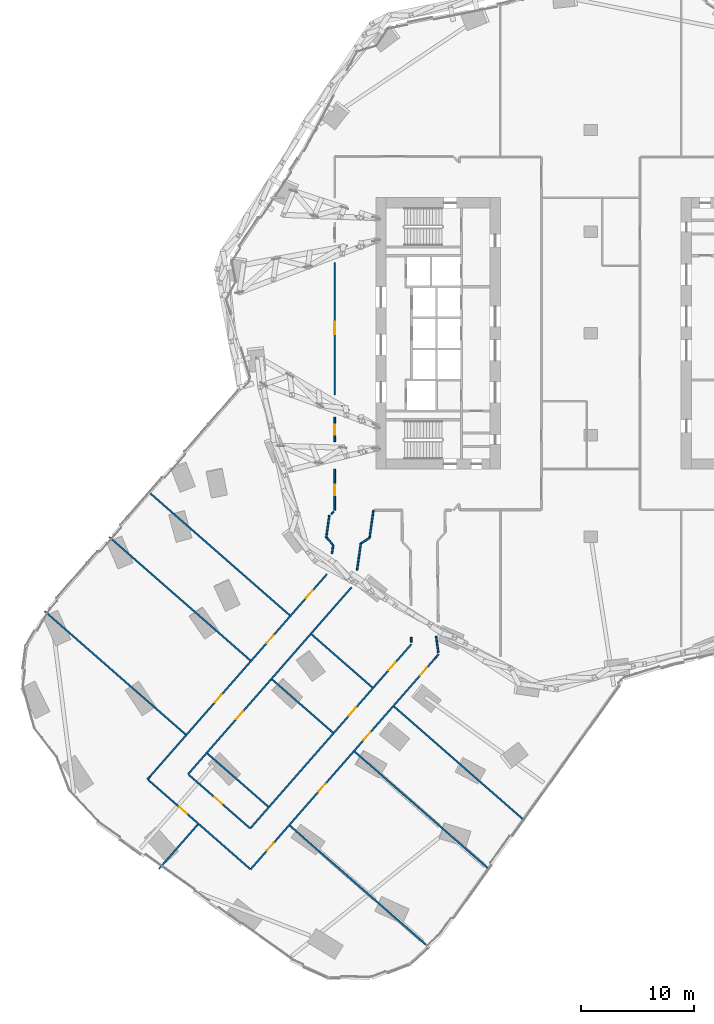
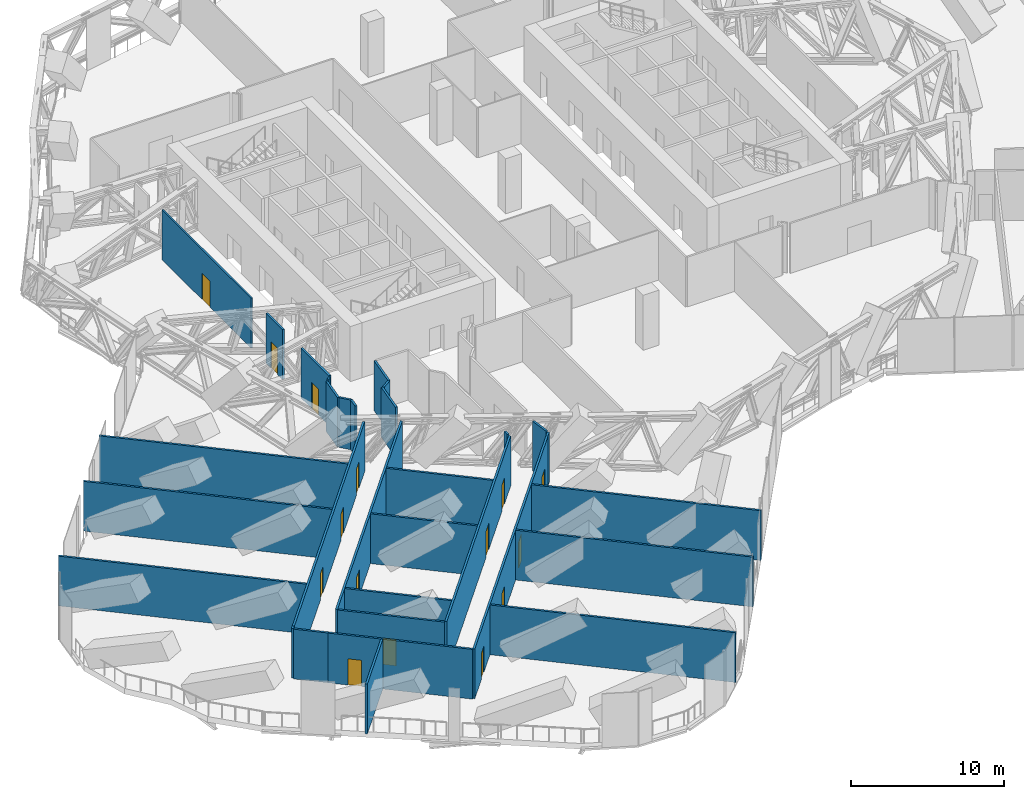
# One storey, part 24 of 34: 31 walls, 15 doors, 15 openings.
"""IFC4 building model written with IfcOpenShell, lengths in metres."""

from ifc_helpers import new_model, si_unit, direction, frame, frame_2d, origin, place, context, subcontext, project, spatial, rectangle, extrude, material, layer, layer_set, type_object, element, fill, save


model = new_model("IFC4")

# Units and contexts
model_context = context("Model", 3, precision=1e-05, world=origin(), true_north=direction((0.0, 1.0)))
body_context = subcontext(model_context, "Body", "Model", "MODEL_VIEW")
ifc_project = project(units=[si_unit("LENGTHUNIT", "METRE"), si_unit("AREAUNIT", "SQUARE_METRE"), si_unit("VOLUMEUNIT", "CUBIC_METRE"), si_unit("PLANEANGLEUNIT", "RADIAN"), si_unit("MASSUNIT", "GRAM", prefix="KILO")], contexts=[model_context])

# Site, building, storey
site_placement = place(None, origin())
site = spatial("IfcSite", under=ifc_project, at=site_placement, CompositionType="ELEMENT")
building_placement = place(site_placement, origin())
building = spatial("IfcBuilding", under=site, at=building_placement, Name="Orlundy Tower", CompositionType="ELEMENT")
storey_placement = place(building_placement, frame((0.0, 0.0, 76.300048828125)))
storey = spatial("IfcBuildingStorey", under=building, at=storey_placement, Name="L18", CompositionType="ELEMENT", Elevation=76.300048828125)

# Wall, opening, door
ifc_material_1 = material(Name="Gypsum board partition, double layer")
ifc_layer_1 = layer(ifc_material_1, 0.125)
ifc_layer_set_1 = layer_set([ifc_layer_1], Name="Floor partition 125")
wall_type_1 = type_object("IfcWallType", Name="Floor partition 125", PredefinedType="PARTITIONING", material=ifc_layer_set_1)
wall_1_placement = place(storey_placement, frame((-22.64990234375, -5.44189453125, 0.0), z_axis=(0.0, 0.0, 1.0), x_axis=(0.0, 1.0, 0.0)))
wall_1 = element("IfcWall", 1, at=wall_1_placement, inside=storey, type_object=wall_type_1, Name="wall-int-L18-097", PredefinedType="PARTITIONING", context=body_context, shape_type="SweptSolid", body=[
    extrude(rectangle(XDim=11.69384765625, YDim=0.125, at=frame_2d((5.846923828125, 0.0))), origin(), (0.0, 0.0, 1.0), 3.97998046875),
])
opening_1_placement = place(wall_1_placement, frame((5.35009765625, 0.0, 0.0)))
opening_1 = element("IfcOpeningElement", 2, at=opening_1_placement, cuts=wall_1, Name="Opening 15133", PredefinedType="OPENING", context=body_context, shape_type="SweptSolid", body=[
    extrude(rectangle(XDim=1.10009765625, YDim=2.10009765625, at=frame_2d((0.550048828125, 1.050048828125))), frame((0.0, 0.072509765625, 0.0), z_axis=(0.0, -1.0, 0.0), x_axis=(1.0, 0.0, 0.0)), (0.0, 0.0, 1.0), 0.14501953125),
])
ifc_material_2 = material(Name="Timber door leaf", Category="wood")
door_type_1 = type_object("IfcDoorType", Name="Floor door xwide 1100 FD30S", OperationType="NOTDEFINED", PredefinedType="DOOR", material=ifc_material_2)
door_1_placement = place(opening_1_placement, origin())
door_1 = element("IfcDoor", 3, at=door_1_placement, inside=storey, type_object=door_type_1, Name="Door 15133", OperationType="SINGLE_SWING_RIGHT", OverallHeight=2.10009765625, OverallWidth=1.10009765625, PredefinedType="DOOR", context=body_context, shape_type="SweptSolid", body=[
    extrude(rectangle(XDim=1.10009765625, YDim=2.10009765625, at=frame_2d((0.550048828125, 1.050048828125))), frame((0.0, 0.02490234375, 0.0), z_axis=(0.0, -1.0, 0.0), x_axis=(1.0, 0.0, 0.0)), (0.0, 0.0, 1.0), 0.050048828125),
])
fill(opening_1, door_1)

# Walls
ifc_material_3 = material(Name="Blockwork shaft wall", Category="masonry")
ifc_layer_2 = layer(ifc_material_3, 0.14990234375)
ifc_layer_set_2 = layer_set([ifc_layer_2], Name="Floor shaft wall 150")
wall_type_2 = type_object("IfcWallType", Name="Floor shaft wall 150", PredefinedType="PARTITIONING", material=ifc_layer_set_2)
wall_2_placement = place(storey_placement, frame((-15.882080078125, -26.885009765625, 0.0), z_axis=(0.0, 0.0, 1.0), x_axis=(0.009976029372, -0.999950238181, 0.0)))
element("IfcWall", 4, at=wall_2_placement, inside=storey, type_object=wall_type_2, Name="wall-int-L18-004", PredefinedType="PARTITIONING", context=body_context, shape_type="SweptSolid", body=[
    extrude(rectangle(XDim=0.416015625, YDim=0.14990234375, at=frame_2d((0.2080078125, 0.0))), origin(), (0.0, 0.0, 1.0), 3.97998046875),
])
wall_3_placement = place(storey_placement, frame((-13.488037109375, -28.22705078125, 0.0), z_axis=(0.0, 0.0, 1.0), x_axis=(-0.136103974412, 0.990694558453, 0.0)))
element("IfcWall", 5, at=wall_3_placement, inside=storey, type_object=wall_type_2, Name="wall-int-L18-006", PredefinedType="PARTITIONING", context=body_context, shape_type="SweptSolid", body=[
    extrude(rectangle(XDim=1.4404296875, YDim=0.14990234375, at=frame_2d((0.72021484375, 0.0))), origin(), (0.0, 0.0, 1.0), 3.97998046875),
])

# Wall, opening, door
wall_4_placement = place(storey_placement, frame((-30.134033203125, -47.375, 0.0), z_axis=(0.0, 0.0, 1.0), x_axis=(-0.752869704011, 0.658169589682, 0.0)))
wall_4 = element("IfcWall", 6, at=wall_4_placement, inside=storey, type_object=wall_type_2, Name="wall-int-L18-013", PredefinedType="PARTITIONING", context=body_context, shape_type="SweptSolid", body=[
    extrude(rectangle(XDim=9.649658203125, YDim=0.14990234375, at=frame_2d((4.82470703125, 0.0))), origin(), (0.0, 0.0, 1.0), 3.97998046875),
])
opening_2_placement = place(wall_4_placement, frame((7.42431640625, 0.0, 0.0)))
opening_2 = element("IfcOpeningElement", 7, at=opening_2_placement, cuts=wall_4, Name="Opening 15114", PredefinedType="OPENING", context=body_context, shape_type="SweptSolid", body=[
    extrude(rectangle(XDim=0.89990234375, YDim=2.10009765625, at=frame_2d((0.449951171875, 1.050048828125))), frame((0.0, 0.0849609375, 0.0), z_axis=(0.0, -1.0, 0.0), x_axis=(1.0, 0.0, 0.0)), (0.0, 0.0, 1.0), 0.169921875),
])
ifc_material_4 = material(Name="Timber door leaf", Category="wood")
door_type_2 = type_object("IfcDoorType", Name="Floor door single 900 FD60", OperationType="NOTDEFINED", PredefinedType="DOOR", material=ifc_material_4)
door_2_placement = place(opening_2_placement, origin())
door_2 = element("IfcDoor", 8, at=door_2_placement, inside=storey, type_object=door_type_2, Name="Door 15114", OperationType="SINGLE_SWING_RIGHT", OverallHeight=2.10009765625, OverallWidth=0.89990234375, PredefinedType="DOOR", context=body_context, shape_type="SweptSolid", body=[
    extrude(rectangle(XDim=0.89990234375, YDim=2.10009765625, at=frame_2d((0.449951171875, 1.050048828125))), frame((0.0, 0.02490234375, 0.0), z_axis=(0.0, -1.0, 0.0), x_axis=(1.0, 0.0, 0.0)), (0.0, 0.0, 1.0), 0.050048828125),
])
fill(opening_2, door_2)

wall_5_placement = place(storey_placement, frame((-35.56494140625, -39.0400390625, 0.0), z_axis=(0.0, 0.0, 1.0), x_axis=(0.752862172491, -0.658178204768, 0.0)))
wall_5 = element("IfcWall", 9, at=wall_5_placement, inside=storey, type_object=wall_type_2, Name="wall-int-L18-014", PredefinedType="PARTITIONING", context=body_context, shape_type="SweptSolid", body=[
    extrude(rectangle(XDim=7.150146484375, YDim=0.14990234375, at=frame_2d((3.5751953125, 0.0))), origin(), (0.0, 0.0, 1.0), 3.97998046875),
])
opening_3_placement = place(wall_5_placement, frame((3.02490234375, 0.0, 0.0)))
opening_3 = element("IfcOpeningElement", 10, at=opening_3_placement, cuts=wall_5, Name="Opening 15107", PredefinedType="OPENING", context=body_context, shape_type="SweptSolid", body=[
    extrude(rectangle(XDim=0.89990234375, YDim=2.10009765625, at=frame_2d((0.449951171875, 1.050048828125))), frame((0.0, 0.0849609375, 0.0), z_axis=(0.0, -1.0, 0.0), x_axis=(1.0, 0.0, 0.0)), (0.0, 0.0, 1.0), 0.169921875),
])
door_3_placement = place(opening_3_placement, origin())
door_3 = element("IfcDoor", 11, at=door_3_placement, inside=storey, type_object=door_type_2, Name="Door 15107", OperationType="SINGLE_SWING_LEFT", OverallHeight=2.10009765625, OverallWidth=0.89990234375, PredefinedType="DOOR", context=body_context, shape_type="SweptSolid", body=[
    extrude(rectangle(XDim=0.89990234375, YDim=2.10009765625, at=frame_2d((0.449951171875, 1.050048828125))), frame((0.0, 0.02490234375, 0.0), z_axis=(0.0, -1.0, 0.0), x_axis=(1.0, 0.0, 0.0)), (0.0, 0.0, 1.0), 0.050048828125),
])
fill(opening_3, door_3)

# Walls
wall_6_placement = place(storey_placement, frame((-48.31298828125, -24.572021484375, 0.0), z_axis=(0.0, 0.0, 1.0), x_axis=(0.752776539597, -0.658276143751, 0.0)))
element("IfcWall", 12, at=wall_6_placement, inside=storey, type_object=wall_type_2, Name="wall-int-L18-015", PredefinedType="PARTITIONING", context=body_context, shape_type="SweptSolid", body=[
    extrude(rectangle(XDim=16.570556640625, YDim=0.14990234375, at=frame_2d((8.28515625, 0.0))), origin(), (0.0, 0.0, 1.0), 3.97998046875),
])
wall_7_placement = place(storey_placement, frame((-33.9189453125, -37.157958984375, 0.0), z_axis=(0.0, 0.0, 1.0), x_axis=(0.752720514165, -0.658340206546, 0.0)))
element("IfcWall", 13, at=wall_7_placement, inside=storey, type_object=wall_type_2, Name="wall-int-L18-016", PredefinedType="PARTITIONING", context=body_context, shape_type="SweptSolid", body=[
    extrude(rectangle(XDim=7.14990234375, YDim=0.14990234375, at=frame_2d((3.574951171875, 0.0))), origin(), (0.0, 0.0, 1.0), 3.97998046875),
])
wall_8_placement = place(storey_placement, frame((-26.616943359375, -43.54296875, 0.0), z_axis=(0.0, 0.0, 1.0), x_axis=(0.752799620159, -0.658249748871, 0.0)))
element("IfcWall", 14, at=wall_8_placement, inside=storey, type_object=wall_type_2, Name="wall-int-L18-017", PredefinedType="PARTITIONING", context=body_context, shape_type="SweptSolid", body=[
    extrude(rectangle(XDim=16.41455078125, YDim=0.14990234375, at=frame_2d((8.207275390625, 0.0))), origin(), (0.0, 0.0, 1.0), 3.97998046875),
])
wall_9_placement = place(storey_placement, frame((-42.6279296875, -17.987060546875, 0.0), z_axis=(0.0, 0.0, 1.0), x_axis=(0.752830443713, -0.658214496208, 0.0)))
element("IfcWall", 15, at=wall_9_placement, inside=storey, type_object=wall_type_2, Name="wall-int-L18-018", PredefinedType="PARTITIONING", context=body_context, shape_type="SweptSolid", body=[
    extrude(rectangle(XDim=16.625, YDim=0.14990234375, at=frame_2d((8.3125, 0.0))), origin(), (0.0, 0.0, 1.0), 3.97998046875),
])
wall_10_placement = place(storey_placement, frame((-28.193115234375, -30.60888671875, 0.0), z_axis=(0.0, 0.0, 1.0), x_axis=(0.752862172491, -0.658178204768, 0.0)))
element("IfcWall", 16, at=wall_10_placement, inside=storey, type_object=wall_type_2, Name="wall-int-L18-019", PredefinedType="PARTITIONING", context=body_context, shape_type="SweptSolid", body=[
    extrude(rectangle(XDim=7.150146484375, YDim=0.14990234375, at=frame_2d((3.5751953125, 0.0))), origin(), (0.0, 0.0, 1.0), 3.97998046875),
])
wall_11_placement = place(storey_placement, frame((-20.889892578125, -36.993896484375, 0.0), z_axis=(0.0, 0.0, 1.0), x_axis=(0.752774169293, -0.658278854321, 0.0)))
element("IfcWall", 17, at=wall_11_placement, inside=storey, type_object=wall_type_2, Name="wall-int-L18-020", PredefinedType="PARTITIONING", context=body_context, shape_type="SweptSolid", body=[
    extrude(rectangle(XDim=15.8505859375, YDim=0.14990234375, at=frame_2d((7.92529296875, 0.0))), origin(), (0.0, 0.0, 1.0), 3.97998046875),
])
wall_12_placement = place(storey_placement, frame((-39.139892578125, -13.998046875, 0.0), z_axis=(0.0, 0.0, 1.0), x_axis=(0.752808649714, -0.658239422184, 0.0)))
element("IfcWall", 18, at=wall_12_placement, inside=storey, type_object=wall_type_2, Name="wall-int-L18-021", PredefinedType="PARTITIONING", context=body_context, shape_type="SweptSolid", body=[
    extrude(rectangle(XDim=16.623046875, YDim=0.14990234375, at=frame_2d((8.3115234375, 0.0))), origin(), (0.0, 0.0, 1.0), 3.97998046875),
])
wall_13_placement = place(storey_placement, frame((-24.7041015625, -26.618896484375, 0.0), z_axis=(0.0, 0.0, 1.0), x_axis=(0.752862172491, -0.658178204768, 0.0)))
element("IfcWall", 19, at=wall_13_placement, inside=storey, type_object=wall_type_2, Name="wall-int-L18-022", PredefinedType="PARTITIONING", context=body_context, shape_type="SweptSolid", body=[
    extrude(rectangle(XDim=7.150146484375, YDim=0.14990234375, at=frame_2d((3.5751953125, 0.0))), origin(), (0.0, 0.0, 1.0), 3.97998046875),
])
wall_14_placement = place(storey_placement, frame((-17.402099609375, -33.006103515625, 0.0), z_axis=(0.0, 0.0, 1.0), x_axis=(0.752837171731, -0.658206800983, 0.0)))
element("IfcWall", 20, at=wall_14_placement, inside=storey, type_object=wall_type_2, Name="wall-int-L18-023", PredefinedType="PARTITIONING", context=body_context, shape_type="SweptSolid", body=[
    extrude(rectangle(XDim=15.324951171875, YDim=0.14990234375, at=frame_2d((7.66259765625, 0.0))), origin(), (0.0, 0.0, 1.0), 3.97998046875),
])
wall_15_placement = place(storey_placement, frame((-39.14990234375, -39.492919921875, 0.0), z_axis=(0.0, 0.0, 1.0), x_axis=(0.753018801652, -0.657999000272, 0.0)))
element("IfcWall", 21, at=wall_15_placement, inside=storey, type_object=wall_type_2, Name="wall-int-L18-024", PredefinedType="PARTITIONING", context=body_context, shape_type="SweptSolid", body=[
    extrude(rectangle(XDim=2.3251953125, YDim=0.14990234375, at=frame_2d((1.16259765625, 0.0))), origin(), (0.0, 0.0, 1.0), 3.97998046875),
])
wall_16_placement = place(storey_placement, frame((-23.33203125, -18.10302734375, 0.0), z_axis=(0.0, 0.0, 1.0), x_axis=(0.652335975093, -0.757929927896, 0.0)))
element("IfcWall", 22, at=wall_16_placement, inside=storey, type_object=wall_type_2, Name="wall-int-L18-034", PredefinedType="PARTITIONING", context=body_context, shape_type="SweptSolid", body=[
    extrude(rectangle(XDim=0.832275390625, YDim=0.14990234375, at=frame_2d((0.416015625, 0.0))), origin(), (0.0, 0.0, 1.0), 3.97998046875),
])
wall_17_placement = place(storey_placement, frame((-20.261962890625, -18.533935546875, 0.0), z_axis=(0.0, 0.0, 1.0), x_axis=(0.835371053119, 0.549686459366, 0.0)))
element("IfcWall", 23, at=wall_17_placement, inside=storey, type_object=wall_type_2, Name="wall-int-L18-035", PredefinedType="PARTITIONING", context=body_context, shape_type="SweptSolid", body=[
    extrude(rectangle(XDim=0.833251953125, YDim=0.14990234375, at=frame_2d((0.41650390625, 0.0))), origin(), (0.0, 0.0, 1.0), 3.97998046875),
])
wall_18_placement = place(storey_placement, frame((-22.952880859375, -15.964111328125, 0.0), z_axis=(0.0, 0.0, 1.0), x_axis=(0.754942462209, 0.65579103284, 0.0)))
element("IfcWall", 24, at=wall_18_placement, inside=storey, type_object=wall_type_2, Name="wall-int-L18-057", PredefinedType="PARTITIONING", context=body_context, shape_type="SweptSolid", body=[
    extrude(rectangle(XDim=0.28076171875, YDim=0.14990234375, at=frame_2d((0.140380859375, 0.0))), origin(), (0.0, 0.0, 1.0), 3.97998046875),
])
wall_19_placement = place(storey_placement, frame((-13.76708984375, -28.73388671875, 0.0), z_axis=(0.0, 0.0, 1.0), x_axis=(0.660929934511, 0.750447614206, 0.0)))
element("IfcWall", 25, at=wall_19_placement, inside=storey, type_object=wall_type_2, Name="wall-int-L18-060", PredefinedType="PARTITIONING", context=body_context, shape_type="SweptSolid", body=[
    extrude(rectangle(XDim=0.45556640625, YDim=0.14990234375, at=frame_2d((0.227783203125, 0.0))), origin(), (0.0, 0.0, 1.0), 3.97998046875),
])

# Wall, openings, doors
wall_20_placement = place(storey_placement, frame((-13.76611328125, -28.73193359375, 0.0), z_axis=(0.0, 0.0, 1.0), x_axis=(-0.658218220516, -0.752827187461, 0.0)))
wall_20 = element("IfcWall", 26, at=wall_20_placement, inside=storey, type_object=wall_type_2, Name="wall-int-L18-061", PredefinedType="PARTITIONING", context=body_context, shape_type="SweptSolid", body=[
    extrude(rectangle(XDim=24.80908203125, YDim=0.14990234375, at=frame_2d((12.404541015625, 0.0))), origin(), (0.0, 0.0, 1.0), 3.97998046875),
])
opening_4_placement = place(wall_20_placement, frame((1.1025390625, 0.0, 0.0)))
opening_4 = element("IfcOpeningElement", 27, at=opening_4_placement, cuts=wall_20, Name="Opening 15108", PredefinedType="OPENING", context=body_context, shape_type="SweptSolid", body=[
    extrude(rectangle(XDim=0.89990234375, YDim=2.10009765625, at=frame_2d((0.449951171875, 1.050048828125))), frame((0.0, 0.0849609375, 0.0), z_axis=(0.0, -1.0, 0.0), x_axis=(1.0, 0.0, 0.0)), (0.0, 0.0, 1.0), 0.169921875),
])
opening_5_placement = place(wall_20_placement, frame((8.709716796875, 0.0, 0.0)))
opening_5 = element("IfcOpeningElement", 28, at=opening_5_placement, cuts=wall_20, Name="Opening 15109", PredefinedType="OPENING", context=body_context, shape_type="SweptSolid", body=[
    extrude(rectangle(XDim=0.89990234375, YDim=2.10009765625, at=frame_2d((0.449951171875, 1.050048828125))), frame((0.0, 0.0849609375, 0.0), z_axis=(0.0, -1.0, 0.0), x_axis=(1.0, 0.0, 0.0)), (0.0, 0.0, 1.0), 0.169921875),
])
opening_6_placement = place(wall_20_placement, frame((14.75927734375, 0.0, 0.0)))
opening_6 = element("IfcOpeningElement", 29, at=opening_6_placement, cuts=wall_20, Name="Opening 15110", PredefinedType="OPENING", context=body_context, shape_type="SweptSolid", body=[
    extrude(rectangle(XDim=0.89990234375, YDim=2.10009765625, at=frame_2d((0.449951171875, 1.050048828125))), frame((0.0, 0.0849609375, 0.0), z_axis=(0.0, -1.0, 0.0), x_axis=(1.0, 0.0, 0.0)), (0.0, 0.0, 1.0), 0.169921875),
])
opening_7_placement = place(wall_20_placement, frame((21.709228515625, 0.0, 0.0)))
opening_7 = element("IfcOpeningElement", 30, at=opening_7_placement, cuts=wall_20, Name="Opening 15113", PredefinedType="OPENING", context=body_context, shape_type="SweptSolid", body=[
    extrude(rectangle(XDim=0.89990234375, YDim=2.10009765625, at=frame_2d((0.449951171875, 1.050048828125))), frame((0.0, 0.0849609375, 0.0), z_axis=(0.0, -1.0, 0.0), x_axis=(1.0, 0.0, 0.0)), (0.0, 0.0, 1.0), 0.169921875),
])
door_4_placement = place(opening_4_placement, origin())
door_4 = element("IfcDoor", 31, at=door_4_placement, inside=storey, type_object=door_type_2, Name="Door 15108", OperationType="SINGLE_SWING_LEFT", OverallHeight=2.10009765625, OverallWidth=0.89990234375, PredefinedType="DOOR", context=body_context, shape_type="SweptSolid", body=[
    extrude(rectangle(XDim=0.89990234375, YDim=2.10009765625, at=frame_2d((0.449951171875, 1.050048828125))), frame((0.0, 0.02490234375, 0.0), z_axis=(0.0, -1.0, 0.0), x_axis=(1.0, 0.0, 0.0)), (0.0, 0.0, 1.0), 0.050048828125),
])
fill(opening_4, door_4)
door_5_placement = place(opening_5_placement, origin())
door_5 = element("IfcDoor", 32, at=door_5_placement, inside=storey, type_object=door_type_2, Name="Door 15109", OperationType="SINGLE_SWING_LEFT", OverallHeight=2.10009765625, OverallWidth=0.89990234375, PredefinedType="DOOR", context=body_context, shape_type="SweptSolid", body=[
    extrude(rectangle(XDim=0.89990234375, YDim=2.10009765625, at=frame_2d((0.449951171875, 1.050048828125))), frame((0.0, 0.02490234375, 0.0), z_axis=(0.0, -1.0, 0.0), x_axis=(1.0, 0.0, 0.0)), (0.0, 0.0, 1.0), 0.050048828125),
])
fill(opening_5, door_5)
door_6_placement = place(opening_6_placement, origin())
door_6 = element("IfcDoor", 33, at=door_6_placement, inside=storey, type_object=door_type_2, Name="Door 15110", OperationType="SINGLE_SWING_RIGHT", OverallHeight=2.10009765625, OverallWidth=0.89990234375, PredefinedType="DOOR", context=body_context, shape_type="SweptSolid", body=[
    extrude(rectangle(XDim=0.89990234375, YDim=2.10009765625, at=frame_2d((0.449951171875, 1.050048828125))), frame((0.0, 0.02490234375, 0.0), z_axis=(0.0, -1.0, 0.0), x_axis=(1.0, 0.0, 0.0)), (0.0, 0.0, 1.0), 0.050048828125),
])
fill(opening_6, door_6)
door_7_placement = place(opening_7_placement, origin())
door_7 = element("IfcDoor", 34, at=door_7_placement, inside=storey, type_object=door_type_2, Name="Door 15113", OperationType="SINGLE_SWING_RIGHT", OverallHeight=2.10009765625, OverallWidth=0.89990234375, PredefinedType="DOOR", context=body_context, shape_type="SweptSolid", body=[
    extrude(rectangle(XDim=0.89990234375, YDim=2.10009765625, at=frame_2d((0.449951171875, 1.050048828125))), frame((0.0, 0.02490234375, 0.0), z_axis=(0.0, -1.0, 0.0), x_axis=(1.0, 0.0, 0.0)), (0.0, 0.0, 1.0), 0.050048828125),
])
fill(opening_7, door_7)

wall_21_placement = place(storey_placement, frame((-30.1259765625, -43.794921875, 0.0), z_axis=(0.0, 0.0, 1.0), x_axis=(0.658319349285, 0.752738755716, 0.0)))
wall_21 = element("IfcWall", 35, at=wall_21_placement, inside=storey, type_object=wall_type_2, Name="wall-int-L18-062", PredefinedType="PARTITIONING", context=body_context, shape_type="SweptSolid", body=[
    extrude(rectangle(XDim=21.6474609375, YDim=0.14990234375, at=frame_2d((10.82373046875, 0.0))), origin(), (0.0, 0.0, 1.0), 3.97998046875),
])
opening_8_placement = place(wall_21_placement, frame((13.299560546875, 0.0, 0.0)))
opening_8 = element("IfcOpeningElement", 36, at=opening_8_placement, cuts=wall_21, Name="Opening 15106", PredefinedType="OPENING", context=body_context, shape_type="SweptSolid", body=[
    extrude(rectangle(XDim=0.89990234375, YDim=2.10009765625, at=frame_2d((0.449951171875, 1.050048828125))), frame((0.0, 0.0849609375, 0.0), z_axis=(0.0, -1.0, 0.0), x_axis=(1.0, 0.0, 0.0)), (0.0, 0.0, 1.0), 0.169921875),
])
opening_9_placement = place(wall_21_placement, frame((18.599853515625, 0.0, 0.0)))
opening_9 = element("IfcOpeningElement", 37, at=opening_9_placement, cuts=wall_21, Name="Opening 15111", PredefinedType="OPENING", context=body_context, shape_type="SweptSolid", body=[
    extrude(rectangle(XDim=0.89990234375, YDim=2.10009765625, at=frame_2d((0.449951171875, 1.050048828125))), frame((0.0, 0.0849609375, 0.0), z_axis=(0.0, -1.0, 0.0), x_axis=(1.0, 0.0, 0.0)), (0.0, 0.0, 1.0), 0.169921875),
])
door_8_placement = place(opening_8_placement, origin())
door_8 = element("IfcDoor", 38, at=door_8_placement, inside=storey, type_object=door_type_2, Name="Door 15106", OperationType="SINGLE_SWING_RIGHT", OverallHeight=2.10009765625, OverallWidth=0.89990234375, PredefinedType="DOOR", context=body_context, shape_type="SweptSolid", body=[
    extrude(rectangle(XDim=0.89990234375, YDim=2.10009765625, at=frame_2d((0.449951171875, 1.050048828125))), frame((0.0, 0.02490234375, 0.0), z_axis=(0.0, -1.0, 0.0), x_axis=(1.0, 0.0, 0.0)), (0.0, 0.0, 1.0), 0.050048828125),
])
fill(opening_8, door_8)
door_9_placement = place(opening_9_placement, origin())
door_9 = element("IfcDoor", 39, at=door_9_placement, inside=storey, type_object=door_type_2, Name="Door 15111", OperationType="SINGLE_SWING_RIGHT", OverallHeight=2.10009765625, OverallWidth=0.89990234375, PredefinedType="DOOR", context=body_context, shape_type="SweptSolid", body=[
    extrude(rectangle(XDim=0.89990234375, YDim=2.10009765625, at=frame_2d((0.449951171875, 1.050048828125))), frame((0.0, 0.02490234375, 0.0), z_axis=(0.0, -1.0, 0.0), x_axis=(1.0, 0.0, 0.0)), (0.0, 0.0, 1.0), 0.050048828125),
])
fill(opening_9, door_9)

# Wall
wall_22_placement = place(storey_placement, frame((-38.200927734375, -47.373046875, 0.0), z_axis=(0.0, 0.0, 1.0), x_axis=(0.658220537384, 0.752825161751, 0.0)))
element("IfcWall", 40, at=wall_22_placement, inside=storey, type_object=wall_type_2, Name="wall-int-L18-063", PredefinedType="PARTITIONING", context=body_context, shape_type="SweptSolid", body=[
    extrude(rectangle(XDim=5.233642578125, YDim=0.14990234375, at=frame_2d((2.61669921875, 0.0))), origin(), (0.0, 0.0, 1.0), 3.97998046875),
])

# Wall, opening, door
wall_23_placement = place(storey_placement, frame((-21.169921875, -22.468017578125, 0.0), z_axis=(0.0, 0.0, 1.0), x_axis=(-0.658339236885, -0.752721362243, 0.0)))
wall_23 = element("IfcWall", 41, at=wall_23_placement, inside=storey, type_object=wall_type_2, Name="wall-int-L18-064", PredefinedType="PARTITIONING", context=body_context, shape_type="SweptSolid", body=[
    extrude(rectangle(XDim=21.950927734375, YDim=0.14990234375, at=frame_2d((10.9755859375, 0.0))), origin(), (0.0, 0.0, 1.0), 3.97998046875),
])
opening_10_placement = place(wall_23_placement, frame((14.600830078125, 0.0, 0.0)))
opening_10 = element("IfcOpeningElement", 42, at=opening_10_placement, cuts=wall_23, Name="Opening 15112", PredefinedType="OPENING", context=body_context, shape_type="SweptSolid", body=[
    extrude(rectangle(XDim=0.89990234375, YDim=2.10009765625, at=frame_2d((0.449951171875, 1.050048828125))), frame((0.0, 0.0849609375, 0.0), z_axis=(0.0, -1.0, 0.0), x_axis=(1.0, 0.0, 0.0)), (0.0, 0.0, 1.0), 0.169921875),
])
door_10_placement = place(opening_10_placement, origin())
door_10 = element("IfcDoor", 43, at=door_10_placement, inside=storey, type_object=door_type_2, Name="Door 15112", OperationType="SINGLE_SWING_RIGHT", OverallHeight=2.10009765625, OverallWidth=0.89990234375, PredefinedType="DOOR", context=body_context, shape_type="SweptSolid", body=[
    extrude(rectangle(XDim=0.89990234375, YDim=2.10009765625, at=frame_2d((0.449951171875, 1.050048828125))), frame((0.0, 0.02490234375, 0.0), z_axis=(0.0, -1.0, 0.0), x_axis=(1.0, 0.0, 0.0)), (0.0, 0.0, 1.0), 0.050048828125),
])
fill(opening_10, door_10)

# Wall
wall_24_placement = place(storey_placement, frame((-39.2060546875, -39.443115234375, 0.0), z_axis=(0.0, 0.0, 1.0), x_axis=(0.658849625357, 0.752274664711, 0.0)))
element("IfcWall", 44, at=wall_24_placement, inside=storey, type_object=wall_type_2, Name="wall-int-L18-065", PredefinedType="PARTITIONING", context=body_context, shape_type="SweptSolid", body=[
    extrude(rectangle(XDim=0.300537109375, YDim=0.14990234375, at=frame_2d((0.150390625, 0.0))), origin(), (0.0, 0.0, 1.0), 3.97998046875),
])

# Wall, openings, doors
wall_25_placement = place(storey_placement, frame((-39.008056640625, -39.217041015625, 0.0), z_axis=(0.0, 0.0, 1.0), x_axis=(0.658208230207, 0.752835922156, 0.0)))
wall_25 = element("IfcWall", 45, at=wall_25_placement, inside=storey, type_object=wall_type_2, Name="wall-int-L18-066", PredefinedType="PARTITIONING", context=body_context, shape_type="SweptSolid", body=[
    extrude(rectangle(XDim=23.798095703125, YDim=0.14990234375, at=frame_2d((11.89892578125, 0.0))), origin(), (0.0, 0.0, 1.0), 3.97998046875),
])
opening_11_placement = place(wall_25_placement, frame((21.000732421875, 0.0, 0.0)))
opening_11 = element("IfcOpeningElement", 46, at=opening_11_placement, cuts=wall_25, Name="Opening 15115", PredefinedType="OPENING", context=body_context, shape_type="SweptSolid", body=[
    extrude(rectangle(XDim=0.89990234375, YDim=2.10009765625, at=frame_2d((0.449951171875, 1.050048828125))), frame((0.0, 0.0849609375, 0.0), z_axis=(0.0, -1.0, 0.0), x_axis=(1.0, 0.0, 0.0)), (0.0, 0.0, 1.0), 0.169921875),
])
opening_12_placement = place(wall_25_placement, frame((15.69970703125, 0.0, 0.0)))
opening_12 = element("IfcOpeningElement", 47, at=opening_12_placement, cuts=wall_25, Name="Opening 15116", PredefinedType="OPENING", context=body_context, shape_type="SweptSolid", body=[
    extrude(rectangle(XDim=0.89990234375, YDim=2.10009765625, at=frame_2d((0.449951171875, 1.050048828125))), frame((0.0, 0.0849609375, 0.0), z_axis=(0.0, -1.0, 0.0), x_axis=(1.0, 0.0, 0.0)), (0.0, 0.0, 1.0), 0.169921875),
])
opening_13_placement = place(wall_25_placement, frame((8.749267578125, 0.0, 0.0)))
opening_13 = element("IfcOpeningElement", 48, at=opening_13_placement, cuts=wall_25, Name="Opening 15117", PredefinedType="OPENING", context=body_context, shape_type="SweptSolid", body=[
    extrude(rectangle(XDim=0.89990234375, YDim=2.10009765625, at=frame_2d((0.449951171875, 1.050048828125))), frame((0.0, 0.0849609375, 0.0), z_axis=(0.0, -1.0, 0.0), x_axis=(1.0, 0.0, 0.0)), (0.0, 0.0, 1.0), 0.169921875),
])
door_11_placement = place(opening_11_placement, origin())
door_11 = element("IfcDoor", 49, at=door_11_placement, inside=storey, type_object=door_type_2, Name="Door 15115", OperationType="SINGLE_SWING_RIGHT", OverallHeight=2.10009765625, OverallWidth=0.89990234375, PredefinedType="DOOR", context=body_context, shape_type="SweptSolid", body=[
    extrude(rectangle(XDim=0.89990234375, YDim=2.10009765625, at=frame_2d((0.449951171875, 1.050048828125))), frame((0.0, 0.02490234375, 0.0), z_axis=(0.0, -1.0, 0.0), x_axis=(1.0, 0.0, 0.0)), (0.0, 0.0, 1.0), 0.050048828125),
])
fill(opening_11, door_11)
door_12_placement = place(opening_12_placement, origin())
door_12 = element("IfcDoor", 50, at=door_12_placement, inside=storey, type_object=door_type_2, Name="Door 15116", OperationType="SINGLE_SWING_RIGHT", OverallHeight=2.10009765625, OverallWidth=0.89990234375, PredefinedType="DOOR", context=body_context, shape_type="SweptSolid", body=[
    extrude(rectangle(XDim=0.89990234375, YDim=2.10009765625, at=frame_2d((0.449951171875, 1.050048828125))), frame((0.0, 0.02490234375, 0.0), z_axis=(0.0, -1.0, 0.0), x_axis=(1.0, 0.0, 0.0)), (0.0, 0.0, 1.0), 0.050048828125),
])
fill(opening_12, door_12)
door_13_placement = place(opening_13_placement, origin())
door_13 = element("IfcDoor", 51, at=door_13_placement, inside=storey, type_object=door_type_2, Name="Door 15117", OperationType="SINGLE_SWING_LEFT", OverallHeight=2.10009765625, OverallWidth=0.89990234375, PredefinedType="DOOR", context=body_context, shape_type="SweptSolid", body=[
    extrude(rectangle(XDim=0.89990234375, YDim=2.10009765625, at=frame_2d((0.449951171875, 1.050048828125))), frame((0.0, 0.02490234375, 0.0), z_axis=(0.0, -1.0, 0.0), x_axis=(1.0, 0.0, 0.0)), (0.0, 0.0, 1.0), 0.050048828125),
])
fill(opening_13, door_13)

# Walls
wall_26_placement = place(storey_placement, frame((-19.56591796875, -18.075927734375, 0.0), z_axis=(0.0, 0.0, 1.0), x_axis=(0.138782784775, 0.990322845667, 0.0)))
element("IfcWall", 52, at=wall_26_placement, inside=storey, type_object=wall_type_2, Name="wall-int-L18-076", PredefinedType="PARTITIONING", context=body_context, shape_type="SweptSolid", body=[
    extrude(rectangle(XDim=2.44873046875, YDim=0.14990234375, at=frame_2d((1.224365234375, 0.0))), origin(), (0.0, 0.0, 1.0), 3.97998046875),
])
wall_27_placement = place(storey_placement, frame((-20.677001953125, -20.9599609375, 0.0), z_axis=(0.0, 0.0, 1.0), x_axis=(0.138655632088, 0.990340656386, 0.0)))
element("IfcWall", 53, at=wall_27_placement, inside=storey, type_object=wall_type_2, Name="wall-int-L18-077", PredefinedType="PARTITIONING", context=body_context, shape_type="SweptSolid", body=[
    extrude(rectangle(XDim=2.459716796875, YDim=0.14990234375, at=frame_2d((1.22998046875, 0.0))), origin(), (0.0, 0.0, 1.0), 3.97998046875),
])
wall_28_placement = place(storey_placement, frame((-22.89697265625, -19.501953125, 0.0), z_axis=(0.0, 0.0, 1.0), x_axis=(0.139129433731, 0.990274204789, 0.0)))
element("IfcWall", 54, at=wall_28_placement, inside=storey, type_object=wall_type_2, Name="wall-int-L18-078", PredefinedType="PARTITIONING", context=body_context, shape_type="SweptSolid", body=[
    extrude(rectangle(XDim=0.775634765625, YDim=0.14990234375, at=frame_2d((0.3876953125, 0.0))), origin(), (0.0, 0.0, 1.0), 3.97998046875),
])
wall_29_placement = place(storey_placement, frame((-23.406005859375, -18.093017578125, 0.0), z_axis=(0.0, 0.0, 1.0), x_axis=(0.138392820207, 0.990377416602, 0.0)))
element("IfcWall", 55, at=wall_29_placement, inside=storey, type_object=wall_type_2, Name="wall-int-L18-079", PredefinedType="PARTITIONING", context=body_context, shape_type="SweptSolid", body=[
    extrude(rectangle(XDim=2.00927734375, YDim=0.14990234375, at=frame_2d((1.004638671875, 0.0))), origin(), (0.0, 0.0, 1.0), 3.97998046875),
])

# Wall, opening, door
wall_30_placement = place(storey_placement, frame((-22.64990234375, -15.65087890625, 0.0), z_axis=(0.0, 0.0, 1.0), x_axis=(0.0, 1.0, 0.0)))
wall_30 = element("IfcWall", 56, at=wall_30_placement, inside=storey, type_object=wall_type_2, Name="wall-int-L18-095", PredefinedType="PARTITIONING", context=body_context, shape_type="SweptSolid", body=[
    extrude(rectangle(XDim=3.65087890625, YDim=0.14990234375, at=frame_2d((1.825439453125, 0.0))), origin(), (0.0, 0.0, 1.0), 3.97998046875),
])
opening_14_placement = place(wall_30_placement, frame((1.35009765625, 0.0, 0.0)))
opening_14 = element("IfcOpeningElement", 57, at=opening_14_placement, cuts=wall_30, Name="Opening 15119", PredefinedType="OPENING", context=body_context, shape_type="SweptSolid", body=[
    extrude(rectangle(XDim=0.89990234375, YDim=2.10009765625, at=frame_2d((0.449951171875, 1.050048828125))), frame((0.0, 0.0849609375, 0.0), z_axis=(0.0, -1.0, 0.0), x_axis=(1.0, 0.0, 0.0)), (0.0, 0.0, 1.0), 0.169921875),
])
door_14_placement = place(opening_14_placement, origin())
door_14 = element("IfcDoor", 58, at=door_14_placement, inside=storey, type_object=door_type_2, Name="Door 15119", OperationType="SINGLE_SWING_LEFT", OverallHeight=2.10009765625, OverallWidth=0.89990234375, PredefinedType="DOOR", context=body_context, shape_type="SweptSolid", body=[
    extrude(rectangle(XDim=0.89990234375, YDim=2.10009765625, at=frame_2d((0.449951171875, 1.050048828125))), frame((0.0, 0.02490234375, 0.0), z_axis=(0.0, -1.0, 0.0), x_axis=(1.0, 0.0, 0.0)), (0.0, 0.0, 1.0), 0.050048828125),
])
fill(opening_14, door_14)

wall_31_placement = place(storey_placement, frame((-22.64990234375, -9.56396484375, 0.0), z_axis=(0.0, 0.0, 1.0), x_axis=(0.0, 1.0, 0.0)))
wall_31 = element("IfcWall", 59, at=wall_31_placement, inside=storey, type_object=wall_type_2, Name="wall-int-L18-096", PredefinedType="PARTITIONING", context=body_context, shape_type="SweptSolid", body=[
    extrude(rectangle(XDim=2.1630859375, YDim=0.14990234375, at=frame_2d((1.08154296875, 0.0))), origin(), (0.0, 0.0, 1.0), 3.97998046875),
])
opening_15_placement = place(wall_31_placement, frame((0.60009765625, 0.0, 0.0)))
opening_15 = element("IfcOpeningElement", 60, at=opening_15_placement, cuts=wall_31, Name="Opening 15118", PredefinedType="OPENING", context=body_context, shape_type="SweptSolid", body=[
    extrude(rectangle(XDim=0.89990234375, YDim=2.10009765625, at=frame_2d((0.449951171875, 1.050048828125))), frame((0.0, 0.0849609375, 0.0), z_axis=(0.0, -1.0, 0.0), x_axis=(1.0, 0.0, 0.0)), (0.0, 0.0, 1.0), 0.169921875),
])
door_15_placement = place(opening_15_placement, origin())
door_15 = element("IfcDoor", 61, at=door_15_placement, inside=storey, type_object=door_type_2, Name="Door 15118", OperationType="SINGLE_SWING_LEFT", OverallHeight=2.10009765625, OverallWidth=0.89990234375, PredefinedType="DOOR", context=body_context, shape_type="SweptSolid", body=[
    extrude(rectangle(XDim=0.89990234375, YDim=2.10009765625, at=frame_2d((0.449951171875, 1.050048828125))), frame((0.0, 0.02490234375, 0.0), z_axis=(0.0, -1.0, 0.0), x_axis=(1.0, 0.0, 0.0)), (0.0, 0.0, 1.0), 0.050048828125),
])
fill(opening_15, door_15)

save(model, "model.ifc")
